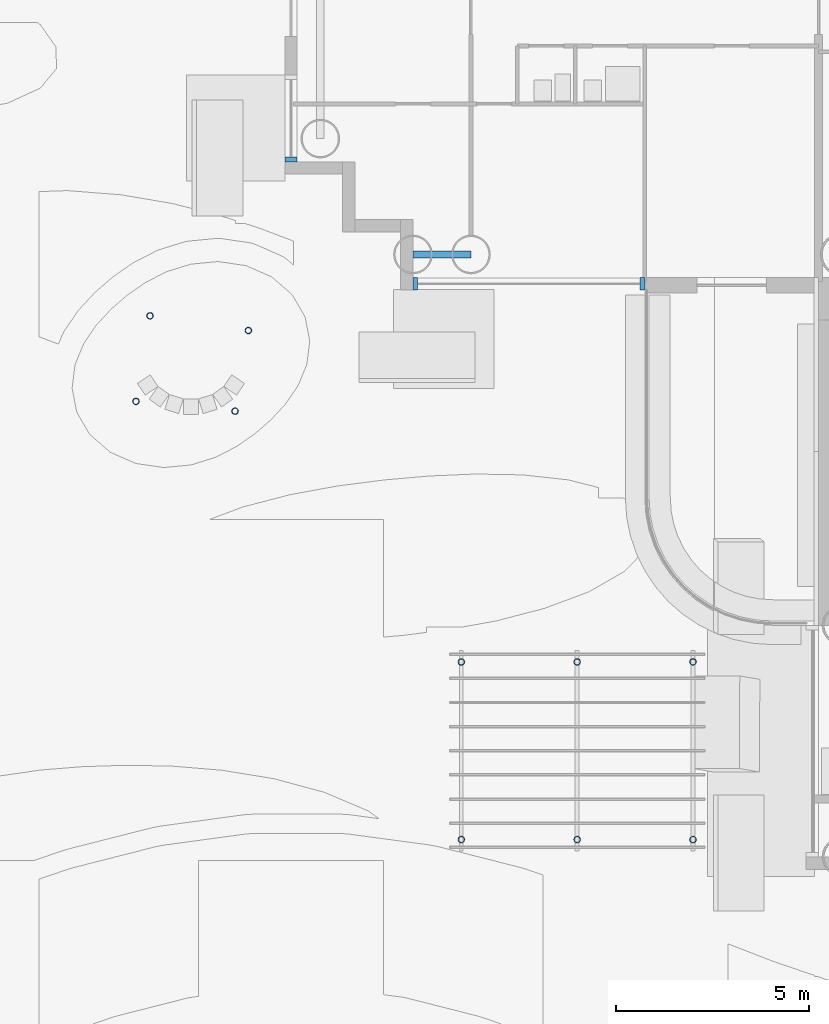
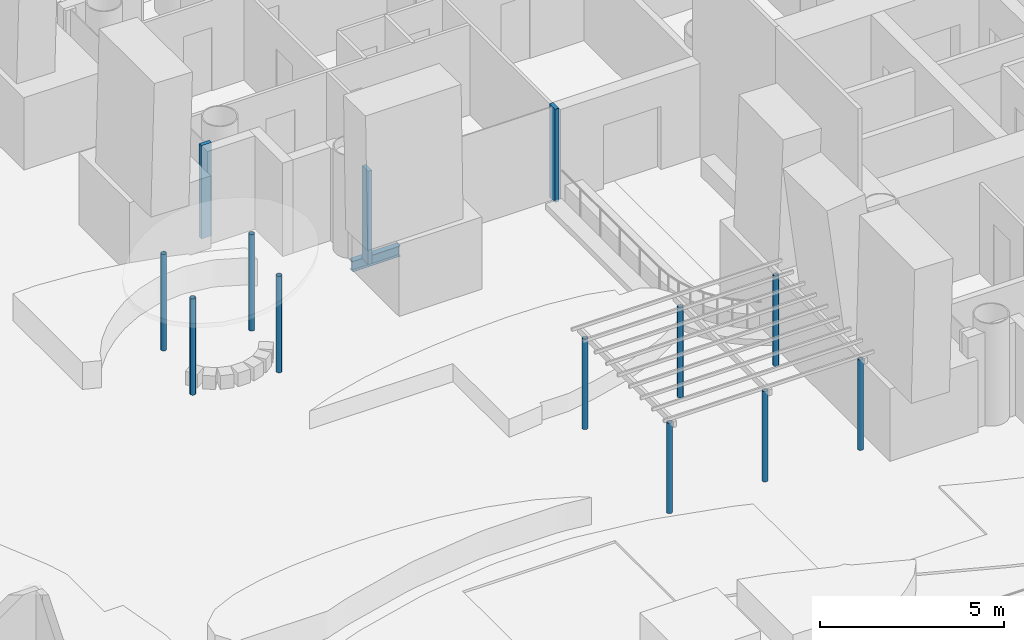
# One storey, part 14 of 40: 13 members, 1 beam, 2 elements without a shape of their own.
"""IFC4 building model written with IfcOpenShell, lengths in metres."""

from ifc_helpers import new_model, si_unit, direction, frame, origin, origin_2d, place, context, subcontext, project, spatial, rectangle, hollow_circle, i_section, extrude, material, layer, layer_set, material_profile, profile_set, type_object, element, aggregate, save


model = new_model("IFC4")

# Units and contexts
model_context = context("Model", 3, precision=1e-05, world=origin(), true_north=direction((0.0, 1.0)))
body_context = subcontext(model_context, "Body", "Model", "MODEL_VIEW")
ifc_project = project(units=[si_unit("LENGTHUNIT", "METRE"), si_unit("AREAUNIT", "SQUARE_METRE"), si_unit("VOLUMEUNIT", "CUBIC_METRE"), si_unit("PLANEANGLEUNIT", "RADIAN"), si_unit("MASSUNIT", "GRAM", prefix="KILO")], contexts=[model_context])

# Site, building, storey
site_placement = place(None, origin())
site = spatial("IfcSite", under=ifc_project, at=site_placement, CompositionType="ELEMENT")
building_placement = place(site_placement, origin())
building = spatial("IfcBuilding", under=site, at=building_placement, Name="Ipe Terrace Towers", CompositionType="ELEMENT")
storey_placement = place(building_placement, frame((0.0, 0.0, 24.5)))
storey = spatial("IfcBuildingStorey", under=building, at=storey_placement, Name="L05", CompositionType="ELEMENT", Elevation=24.5)

# Members
ifc_material_1 = material(Name="Steel S355", Category="steel")
ifc_material_profile_1 = material_profile(ifc_material_1, hollow_circle(Radius=0.083984375, WallThickness=0.008056640625, at=origin_2d()), Name="CANOPY POST CHS 168")
ifc_profile_set_1 = profile_set([ifc_material_profile_1], Name="Steel S355")
member_type_1 = type_object("IfcMemberType", Name="CANOPY POST CHS 168", PredefinedType="POST", material=ifc_profile_set_1)
for number, where, z_axis, x_axis, name in (
    (1, (14.486083984375, -8.118896484375, -0.02001953125), (0.0, 0.0, 1.0), (1.0, 0.0, 0.0), "canopy post"),
    (2, (11.94091796875, -7.739013671875, -0.02001953125), (0.0, 0.0, 1.0), (1.0, 0.0, 0.0), "canopy post"),
    (3, (11.575927734375, -9.9541015625, -0.02001953125), (0.0, 0.0, 1.0), (1.0, 0.0, 0.0), "canopy post"),
    (4, (14.14208984375, -10.2060546875, -0.02001953125), (0.0, 0.0, 1.0), (1.0, 0.0, 0.0), "canopy post"),
):
    element("IfcMember", number, at=place(storey_placement, frame(where, z_axis=z_axis, x_axis=x_axis)), inside=storey, type_object=member_type_1, Name=name, PredefinedType="POST", context=body_context, shape_type="SweptSolid", body=[
        extrude(hollow_circle(Radius=0.083984375, WallThickness=0.008056640625, at=origin_2d()), origin(), (0.0, 0.0, 1.0), 3.199951171875),
    ])

# Beam
ifc_material_2 = material(Name="Steel S355", Category="steel")
ifc_material_profile_2 = material_profile(ifc_material_2, i_section(OverallWidth=0.175048828125, OverallDepth=0.35009765625, WebThickness=0.007080078125, FlangeThickness=0.010986328125, at=origin_2d()), Name="H-350x175x7x11")
ifc_profile_set_2 = profile_set([ifc_material_profile_2], Name="Steel S355")
beam_type = type_object("IfcBeamType", Name="H04 EDGE BEAM H-350x175x7x11", PredefinedType="BEAM", material=ifc_profile_set_2)
beam_placement = place(storey_placement, frame((20.25, -6.14990234375, -0.574951171875), z_axis=(-1.0, 0.0, 0.0), x_axis=(0.0, -1.0, 0.0)))
element("IfcBeam", 5, at=beam_placement, inside=storey, type_object=beam_type, Name="Edge beam T2-EB-B04-B06", PredefinedType="BEAM", context=body_context, shape_type="SweptSolid", body=[
    extrude(i_section(OverallWidth=0.175048828125, OverallDepth=0.35009765625, WebThickness=0.007080078125, FlangeThickness=0.010986328125, at=origin_2d()), origin(), (0.0, 0.0, 1.0), 1.5),
])

# Members
ifc_material_3 = material(Name="Steel S355", Category="steel")
ifc_material_profile_3 = material_profile(ifc_material_3, hollow_circle(Radius=0.083984375, WallThickness=0.008056640625, at=origin_2d()), Name="PERGOLA POST CHS 168")
ifc_profile_set_3 = profile_set([ifc_material_profile_3], Name="Steel S355")
member_type_2 = type_object("IfcMemberType", Name="PERGOLA POST CHS 168", PredefinedType="POST", material=ifc_profile_set_3)
for number, where, z_axis, x_axis, name in (
    (6, (20.0, -21.300048828125, -0.02001953125), (0.0, 0.0, 1.0), (1.0, 0.0, 0.0), "pergola post"),
    (7, (20.0, -16.699951171875, -0.02001953125), (0.0, 0.0, 1.0), (1.0, 0.0, 0.0), "pergola post"),
    (8, (23.0, -21.300048828125, -0.02001953125), (0.0, 0.0, 1.0), (1.0, 0.0, 0.0), "pergola post"),
    (9, (23.0, -16.699951171875, -0.02001953125), (0.0, 0.0, 1.0), (1.0, 0.0, 0.0), "pergola post"),
    (10, (26.0, -21.300048828125, -0.02001953125), (0.0, 0.0, 1.0), (1.0, 0.0, 0.0), "pergola post"),
    (11, (26.0, -16.699951171875, -0.02001953125), (0.0, 0.0, 1.0), (1.0, 0.0, 0.0), "pergola post"),
):
    element("IfcMember", number, at=place(storey_placement, frame(where, z_axis=z_axis, x_axis=x_axis)), inside=storey, type_object=member_type_2, Name=name, PredefinedType="POST", context=body_context, shape_type="SweptSolid", body=[
        extrude(hollow_circle(Radius=0.083984375, WallThickness=0.008056640625, at=origin_2d()), origin(), (0.0, 0.0, 1.0), 3.0),
    ])

# Curtain wall, member
ifc_material_4 = material(Name="Aluminium alloy 6063-T6", Category="aluminium")
ifc_layer = layer(ifc_material_4, 0.320068359375)
ifc_layer_set = layer_set([ifc_layer], Name="TOWER UNITISED CURTAIN WALL")
curtain_wall_type = type_object("IfcCurtainWallType", Name="TOWER UNITISED CURTAIN WALL", PredefinedType="NOTDEFINED", material=ifc_layer_set)
curtain_wall_1_placement = place(storey_placement, origin())
curtain_wall_1 = element("IfcCurtainWall", 12, at=curtain_wall_1_placement, inside=storey, type_object=curtain_wall_type, Name="T2-CW-L05-38c curtain wall", PredefinedType="NOTDEFINED")
ifc_material_5 = material(Name="Aluminium alloy 6063-T6", Category="aluminium")
ifc_material_profile_4 = material_profile(ifc_material_5, rectangle(XDim=0.320068359375, YDim=0.1201171875, at=origin_2d()), Name="TOWER UNITISED CORNER MULLION 320 x 120")
ifc_profile_set_4 = profile_set([ifc_material_profile_4], Name="Aluminium alloy 6063-T6")
member_type_3 = type_object("IfcMemberType", Name="TOWER UNITISED CORNER MULLION 320 x 120", PredefinedType="MULLION", material=ifc_profile_set_4)
member_1_placement = place(storey_placement, frame((15.590087890625, -3.68994140625, 0.0), z_axis=(0.0, 0.0, 1.0), x_axis=(-1.0, 0.0, 0.0)))
member_1 = element("IfcMember", 13, at=member_1_placement, type_object=member_type_3, Name="T2-CW-L05-38c mullion 2", PredefinedType="MULLION", context=body_context, shape_type="SweptSolid", body=[
    extrude(rectangle(XDim=0.320068359375, YDim=0.1201171875, at=origin_2d()), origin(), (0.0, 0.0, 1.0), 3.10009765625),
])
aggregate(curtain_wall_1, [member_1])

# Curtain wall, members
curtain_wall_2_placement = place(storey_placement, origin())
curtain_wall_2 = element("IfcCurtainWall", 14, at=curtain_wall_2_placement, inside=storey, type_object=curtain_wall_type, Name="T2-CW-L05-43a curtain wall", PredefinedType="NOTDEFINED")
member_2_placement = place(storey_placement, frame((18.81005859375, -6.909912109375, 0.0), z_axis=(0.0, 0.0, 1.0), x_axis=(0.0, -1.0, 0.0)))
member_2 = element("IfcMember", 15, at=member_2_placement, type_object=member_type_3, Name="T2-CW-L05-43a mullion 1", PredefinedType="MULLION", context=body_context, shape_type="SweptSolid", body=[
    extrude(rectangle(XDim=0.320068359375, YDim=0.1201171875, at=origin_2d()), origin(), (0.0, 0.0, 1.0), 3.10009765625),
])
member_3_placement = place(storey_placement, frame((24.68994140625, -6.909912109375, 0.0), z_axis=(0.0, 0.0, 1.0), x_axis=(0.0, -1.0, 0.0)))
member_3 = element("IfcMember", 16, at=member_3_placement, type_object=member_type_3, Name="T2-CW-L05-43a mullion 2", PredefinedType="MULLION", context=body_context, shape_type="SweptSolid", body=[
    extrude(rectangle(XDim=0.320068359375, YDim=0.1201171875, at=origin_2d()), origin(), (0.0, 0.0, 1.0), 3.10009765625),
])
aggregate(curtain_wall_2, [member_2, member_3])

save(model, "model.ifc")
